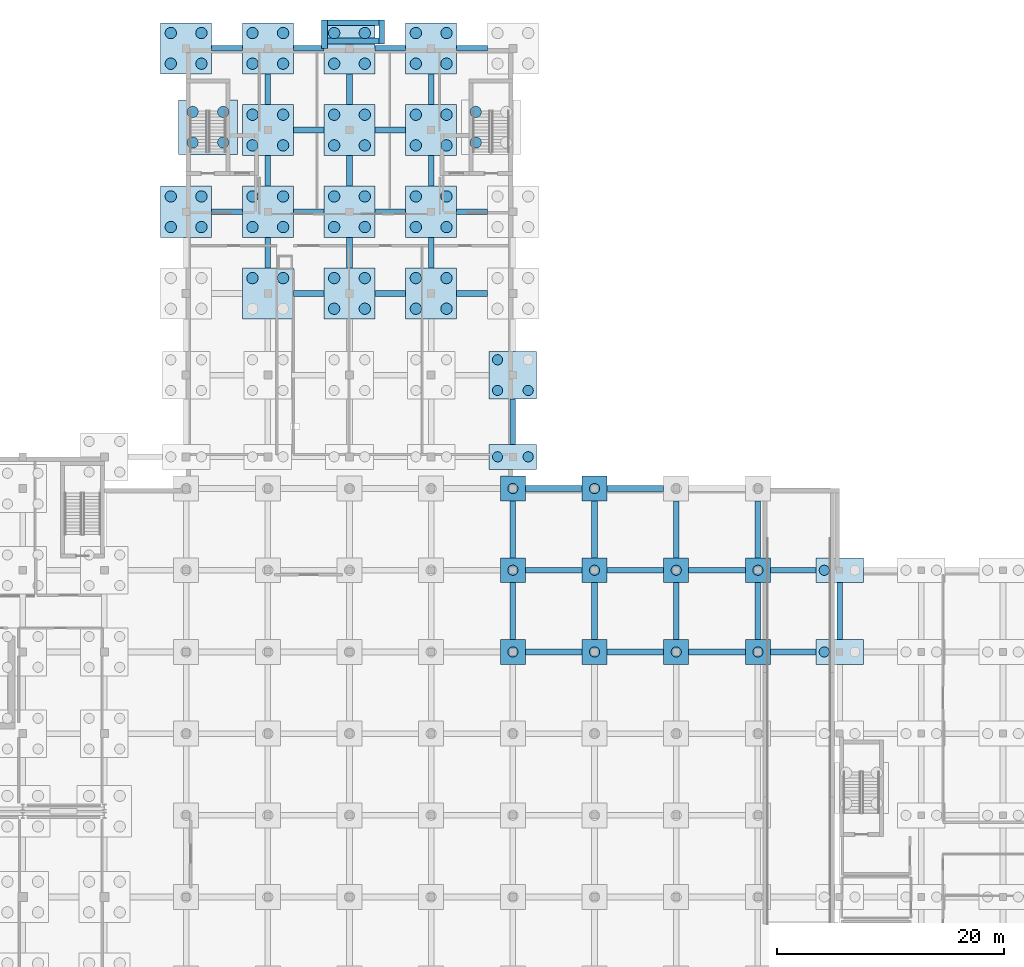
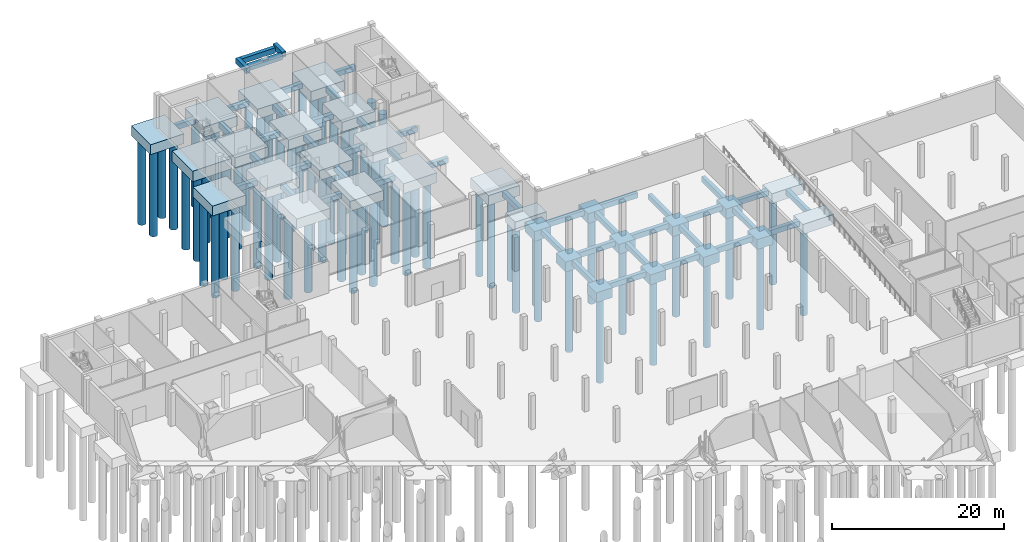
# One storey, part 7 of 35: 77 piles, 75 footings.
"""IFC4 building model written with IfcOpenShell, lengths in metres."""

import ifcopenshell
import ifcopenshell.guid

model = None  # the IFC model being written
_history = None  # IfcOwnerHistory: only IFC2X3 demands one
_inside = {}  # id of a spatial element -> (the spatial element, [elements in it])
_under = {}  # id of a project, library or spatial element -> (it, [spatial elements below it])
_declared = {}  # id of a project -> (the project, [libraries it declares])
_typed = {}  # id of a type object -> (the type object, [elements of that type])
_made_of = {}  # id of a material, layer set ... -> (it, [elements and type objects made of it])


def new_model(schema):
    """Start an empty IFC model of exactly this schema.

    Asked for "IFC4X3", IfcOpenShell would pick the latest addendum, in which some entities
    have other attributes; the version numbers below select the first issue.
    IFC2X3 requires an IfcOwnerHistory on every rooted entity: one is made here for all.
    """
    global model, _history
    if schema == "IFC4X3":
        model = ifcopenshell.file(schema_version=(4, 3, 0, 0))
    else:
        model = ifcopenshell.file(schema=schema)
    _inside.clear()
    _under.clear()
    _declared.clear()
    _typed.clear()
    _made_of.clear()
    _history = None
    if model.schema == "IFC2X3":
        org = make("IfcOrganization", Name="unknown")
        user = make(
            "IfcPersonAndOrganization",
            ThePerson=make("IfcPerson", FamilyName="unknown"),
            TheOrganization=org,
        )
        app = make(
            "IfcApplication",
            ApplicationDeveloper=org,
            Version="unknown",
            ApplicationFullName="unknown",
            ApplicationIdentifier="unknown",
        )
        _history = make(
            "IfcOwnerHistory",
            OwningUser=user,
            OwningApplication=app,
            ChangeAction="ADDED",
            CreationDate=0,
        )
    return model


def make(cls, **values):
    """One entity of the class cls with the attributes given. An attribute that is None is left unset."""
    return model.create_entity(
        cls, **{name: value for name, value in values.items() if value is not None}
    )


def rooted(cls, **values):
    """An entity with a GlobalId (a new one), such as an element, a storey or a relation."""
    return make(cls, GlobalId=ifcopenshell.guid.new(), OwnerHistory=_history, **values)


def si_unit(unit_type, name, prefix=None):
    """IfcSIUnit, for example si_unit("LENGTHUNIT", "METRE", prefix="MILLI")."""
    return make("IfcSIUnit", UnitType=unit_type, Prefix=prefix, Name=name)


def assignment(units):
    """IfcUnitAssignment: the units of a project."""
    return None if units is None else make("IfcUnitAssignment", Units=units)


def point(xyz):
    """IfcCartesianPoint."""
    return None if xyz is None else make("IfcCartesianPoint", Coordinates=xyz)


def direction(xyz):
    """IfcDirection."""
    return None if xyz is None else make("IfcDirection", DirectionRatios=xyz)


def frame(location, z_axis=None, x_axis=None):
    """IfcAxis2Placement3D, a coordinate frame: its origin and axes. An axis left out is left unset."""
    return make(
        "IfcAxis2Placement3D",
        Location=point(location),
        Axis=direction(z_axis),
        RefDirection=direction(x_axis),
    )


def frame_2d(location, x_axis=None):
    """IfcAxis2Placement2D, a coordinate frame in the plane: its origin and x axis."""
    return make(
        "IfcAxis2Placement2D", Location=point(location), RefDirection=direction(x_axis)
    )


def origin():
    """The frame at (0, 0, 0) with its axes left unset."""
    return frame((0.0, 0.0, 0.0))


def origin_2d():
    """The frame at (0, 0) in the plane with its x axis left unset."""
    return frame_2d((0.0, 0.0))


def place(relative_to, where):
    """IfcLocalPlacement: puts the frame where relative to a parent placement (None: the world)."""
    return make(
        "IfcLocalPlacement", PlacementRelTo=relative_to, RelativePlacement=where
    )


def context(
    kind, dimensions, precision=None, world=None, true_north=None, identifier=None
):
    """IfcGeometricRepresentationContext, for example the 3D "Model" context."""
    return make(
        "IfcGeometricRepresentationContext",
        ContextIdentifier=identifier,
        ContextType=kind,
        CoordinateSpaceDimension=dimensions,
        Precision=precision,
        WorldCoordinateSystem=world,
        TrueNorth=true_north,
    )


def subcontext(parent, identifier, kind, view, scale=None):
    """IfcGeometricRepresentationSubContext, for example "Body" below "Model"."""
    return make(
        "IfcGeometricRepresentationSubContext",
        ContextIdentifier=identifier,
        ContextType=kind,
        ParentContext=parent,
        TargetScale=scale,
        TargetView=view,
    )


def project(units=None, contexts=None):
    """IfcProject with its units and contexts."""
    return rooted(
        "IfcProject",
        Name="project",
        RepresentationContexts=contexts,
        UnitsInContext=assignment(units),
    )


def spatial(cls, under=None, at=None, **own):
    """A site, building, storey or space (cls), placed at a placement, below another one or the project."""
    s = rooted(cls, ObjectPlacement=at, **own)
    if under is not None:
        _under.setdefault(under.id(), (under, []))[1].append(s)
    return s


def profile(cls, at=None, kind="AREA", **sizes):
    """A parametric profile (cls). Its sizes go by their IFC names, for example OverallWidth=200.0."""
    return make(cls, ProfileType=kind, Position=at, **sizes)


def rectangle(**sizes):
    """IfcRectangleProfileDef."""
    return profile("IfcRectangleProfileDef", **sizes)


def circle(**sizes):
    """IfcCircleProfileDef."""
    return profile("IfcCircleProfileDef", **sizes)


def extrude(swept, where, along, depth):
    """IfcExtrudedAreaSolid: the profile swept, set in the frame where, extruded along a direction by depth."""
    return make(
        "IfcExtrudedAreaSolid",
        SweptArea=swept,
        Position=where,
        ExtrudedDirection=direction(along),
        Depth=depth,
    )


def shape(context_of_items, identifier, shape_type, items):
    """IfcShapeRepresentation: the items that make up one representation, for example the "Body"."""
    return make(
        "IfcShapeRepresentation",
        ContextOfItems=context_of_items,
        RepresentationIdentifier=identifier,
        RepresentationType=shape_type,
        Items=items,
    )


def material(Name=None, Category=None):
    """IfcMaterial."""
    return make("IfcMaterial", Name=Name, Category=Category)


def material_profile(
    of_material, cross_section, Name=None, Category=None, Priority=None
):
    """IfcMaterialProfile: a cross section and its material."""
    return make(
        "IfcMaterialProfile",
        Name=Name,
        Material=of_material,
        Profile=cross_section,
        Priority=Priority,
        Category=Category,
    )


def profile_set(profiles, Name=None, composite=None):
    """IfcMaterialProfileSet."""
    return make(
        "IfcMaterialProfileSet",
        Name=Name,
        MaterialProfiles=profiles,
        CompositeProfile=composite,
    )


def made_of(thing, what):
    """Note that an element or type object is made of a material, layer set ...; save() writes the relation."""
    if what is not None:
        _made_of.setdefault(what.id(), (what, []))[1].append(thing)
    return thing


def type_object(cls, material=None, **own):
    """A type object (cls), such as IfcWallType, which elements share."""
    return made_of(rooted(cls, **own), material)


def element(
    cls,
    number,
    at=None,
    inside=None,
    cuts=None,
    type_object=None,
    material=None,
    context=None,
    identifier="Body",
    shape_type=None,
    held_by="IfcProductDefinitionShape",
    body=None,
    shapes=None,
    **own,
):
    """One element of the class cls, such as IfcWall. Its Tag is "e" and its number.

    at: its placement. inside: the storey or other place that contains it. cuts: it is an
    opening in that element (IfcRelVoidsElement). A single representation is given by context,
    identifier, shape_type and body (its items); several are given by shapes. held_by: the class
    of the entity that holds the representations. save() writes the other relations.
    """
    e = rooted(cls, Tag="e%d" % number, ObjectPlacement=at, **own)
    if body is not None:
        shapes = [shape(context, identifier, shape_type, body)]
    if shapes is not None:
        e.Representation = make(held_by, Representations=shapes)
    if inside is not None:
        _inside.setdefault(inside.id(), (inside, []))[1].append(e)
    if cuts is not None:
        rooted(
            "IfcRelVoidsElement", RelatingBuildingElement=cuts, RelatedOpeningElement=e
        )
    if type_object is not None:
        _typed.setdefault(type_object.id(), (type_object, []))[1].append(e)
    return made_of(e, material)


def aggregate(whole, parts):
    """IfcRelAggregates: a whole, such as a stair, and the parts it consists of."""
    return rooted("IfcRelAggregates", RelatingObject=whole, RelatedObjects=parts)


def save(model, path):
    """Write the relations noted so far, then the file.

    IfcRelAggregates (storeys below a building ...), IfcRelContainedInSpatialStructure (elements
    in a storey), IfcRelDefinesByType, IfcRelAssociatesMaterial and IfcRelDeclares: one each for
    every whole, place, type object, material and project.
    """
    for whole, parts in _under.values():
        aggregate(whole, parts)
    for where, things in _inside.values():
        rooted(
            "IfcRelContainedInSpatialStructure",
            RelatedElements=things,
            RelatingStructure=where,
        )
    for kind, things in _typed.values():
        rooted("IfcRelDefinesByType", RelatedObjects=things, RelatingType=kind)
    for what, things in _made_of.values():
        rooted("IfcRelAssociatesMaterial", RelatedObjects=things, RelatingMaterial=what)
    for by, libraries in _declared.values():
        rooted("IfcRelDeclares", RelatingContext=by, RelatedDefinitions=libraries)
    model.write(path)


model = new_model("IFC4")

# Units and contexts
model_context = context("Model", 3, precision=1e-05, world=origin(), true_north=direction((0.0, 1.0)))
body_context = subcontext(model_context, "Body", "Model", "MODEL_VIEW")
ifc_project = project(units=[si_unit("LENGTHUNIT", "METRE"), si_unit("AREAUNIT", "SQUARE_METRE"), si_unit("VOLUMEUNIT", "CUBIC_METRE"), si_unit("PLANEANGLEUNIT", "RADIAN"), si_unit("MASSUNIT", "GRAM", prefix="KILO")], contexts=[model_context])

# Site, building, storey
site_placement = place(None, origin())
site = spatial("IfcSite", under=ifc_project, at=site_placement, CompositionType="ELEMENT")
building_placement = place(site_placement, origin())
building = spatial("IfcBuilding", under=site, at=building_placement, Name="Zarrinpeak Specialist Clinic", CompositionType="ELEMENT")
storey_placement = place(building_placement, frame((0.0, 0.0, -4.800048828125)))
storey = spatial("IfcBuildingStorey", under=building, at=storey_placement, Name="B01", CompositionType="ELEMENT", Elevation=-4.800048828125)

# Footings
ifc_material = material(Name="Concrete C40/50", Category="concrete")
ifc_material_profile_1 = material_profile(ifc_material, rectangle(XDim=0.5, YDim=0.75, at=origin_2d()), Name="RC 500x750")
ifc_profile_set_1 = profile_set([ifc_material_profile_1], Name="Concrete C40/50")
footing_type_1 = type_object("IfcFootingType", Name="FT-GB1", PredefinedType="FOOTING_BEAM", material=ifc_profile_set_1)
for number, where, z_axis, x_axis, name in (
    (1, (65.89990234375, 64.800048828125, -0.77490234375), (1.0, 0.0, 0.0), (0.0, 1.0, 0.0), "Continuous Ground Tie Beam GB-151"),
    (2, (73.10009765625, 64.800048828125, -0.77490234375), (1.0, 0.0, 0.0), (0.0, 1.0, 0.0), "Continuous Ground Tie Beam GB-152"),
    (3, (80.300048828125, 64.800048828125, -0.77490234375), (1.0, 0.0, 0.0), (0.0, 1.0, 0.0), "Continuous Ground Tie Beam GB-153"),
):
    element("IfcFooting", number, at=place(storey_placement, frame(where, z_axis=z_axis, x_axis=x_axis)), inside=storey, type_object=footing_type_1, Name=name, PredefinedType="FOOTING_BEAM", context=body_context, shape_type="SweptSolid", body=[
        extrude(rectangle(XDim=0.5, YDim=0.75, at=origin_2d()), origin(), (0.0, 0.0, 1.0), 5.0),
    ])
footing_1_placement = place(storey_placement, frame((87.5, 64.800048828125, -0.77490234375), z_axis=(1.0, 0.0, 0.0), x_axis=(0.0, 1.0, 0.0)))
element("IfcFooting", 4, at=footing_1_placement, inside=storey, type_object=footing_type_1, Name="Continuous Ground Tie Beam GB-154", PredefinedType="FOOTING_BEAM", context=body_context, shape_type="SweptSolid", body=[
    extrude(rectangle(XDim=0.5, YDim=0.75, at=origin_2d()), origin(), (0.0, 0.0, 1.0), 4.0),
])
for number, where, z_axis, x_axis, name in (
    (5, (65.89990234375, 72.0, -0.77490234375), (1.0, 0.0, 0.0), (0.0, 1.0, 0.0), "Continuous Ground Tie Beam GB-168"),
    (6, (73.10009765625, 72.0, -0.77490234375), (1.0, 0.0, 0.0), (0.0, 1.0, 0.0), "Continuous Ground Tie Beam GB-169"),
    (7, (80.300048828125, 72.0, -0.77490234375), (1.0, 0.0, 0.0), (0.0, 1.0, 0.0), "Continuous Ground Tie Beam GB-170"),
):
    element("IfcFooting", number, at=place(storey_placement, frame(where, z_axis=z_axis, x_axis=x_axis)), inside=storey, type_object=footing_type_1, Name=name, PredefinedType="FOOTING_BEAM", context=body_context, shape_type="SweptSolid", body=[
        extrude(rectangle(XDim=0.5, YDim=0.75, at=origin_2d()), origin(), (0.0, 0.0, 1.0), 5.0),
    ])
footing_2_placement = place(storey_placement, frame((87.5, 72.0, -0.77490234375), z_axis=(1.0, 0.0, 0.0), x_axis=(0.0, 1.0, 0.0)))
element("IfcFooting", 8, at=footing_2_placement, inside=storey, type_object=footing_type_1, Name="Continuous Ground Tie Beam GB-171", PredefinedType="FOOTING_BEAM", context=body_context, shape_type="SweptSolid", body=[
    extrude(rectangle(XDim=0.5, YDim=0.75, at=origin_2d()), origin(), (0.0, 0.0, 1.0), 4.0),
])
for number, where, z_axis, x_axis, name in (
    (9, (65.89990234375, 79.199951171875, -0.77490234375), (1.0, 0.0, 0.0), (0.0, 1.0, 0.0), "Continuous Ground Tie Beam GB-182"),
    (10, (73.10009765625, 79.199951171875, -0.77490234375), (1.0, 0.0, 0.0), (0.0, 1.0, 0.0), "Continuous Ground Tie Beam GB-183"),
):
    element("IfcFooting", number, at=place(storey_placement, frame(where, z_axis=z_axis, x_axis=x_axis)), inside=storey, type_object=footing_type_1, Name=name, PredefinedType="FOOTING_BEAM", context=body_context, shape_type="SweptSolid", body=[
        extrude(rectangle(XDim=0.5, YDim=0.75, at=origin_2d()), origin(), (0.0, 0.0, 1.0), 5.0),
    ])
footing_3_placement = place(storey_placement, frame((45.449951171875, 96.39990234375, -0.77490234375), z_axis=(1.0, 0.0, 0.0), x_axis=(0.0, 1.0, 0.0)))
element("IfcFooting", 11, at=footing_3_placement, inside=storey, type_object=footing_type_1, Name="Continuous Ground Tie Beam GB-195", PredefinedType="FOOTING_BEAM", context=body_context, shape_type="SweptSolid", body=[
    extrude(rectangle(XDim=0.5, YDim=0.75, at=origin_2d()), origin(), (0.0, 0.0, 1.0), 2.699951171875),
])
footing_4_placement = place(storey_placement, frame((52.64990234375, 96.39990234375, -0.77490234375), z_axis=(1.0, 0.0, 0.0), x_axis=(0.0, 1.0, 0.0)))
element("IfcFooting", 12, at=footing_4_placement, inside=storey, type_object=footing_type_1, Name="Continuous Ground Tie Beam GB-196", PredefinedType="FOOTING_BEAM", context=body_context, shape_type="SweptSolid", body=[
    extrude(rectangle(XDim=0.5, YDim=0.75, at=origin_2d()), origin(), (0.0, 0.0, 1.0), 2.7001953125),
])
for number, where, z_axis, x_axis, name in (
    (13, (59.85009765625, 96.39990234375, -0.77490234375), (1.0, 0.0, 0.0), (0.0, 1.0, 0.0), "Continuous Ground Tie Beam GB-197"),
    (14, (38.25, 103.60009765625, -0.77490234375), (1.0, 0.0, 0.0), (0.0, 1.0, 0.0), "Continuous Ground Tie Beam GB-198"),
    (15, (45.449951171875, 103.60009765625, -0.77490234375), (1.0, 0.0, 0.0), (0.0, 1.0, 0.0), "Continuous Ground Tie Beam GB-199"),
):
    element("IfcFooting", number, at=place(storey_placement, frame(where, z_axis=z_axis, x_axis=x_axis)), inside=storey, type_object=footing_type_1, Name=name, PredefinedType="FOOTING_BEAM", context=body_context, shape_type="SweptSolid", body=[
        extrude(rectangle(XDim=0.5, YDim=0.75, at=origin_2d()), origin(), (0.0, 0.0, 1.0), 2.699951171875),
    ])
footing_5_placement = place(storey_placement, frame((52.64990234375, 103.60009765625, -0.77490234375), z_axis=(1.0, 0.0, 0.0), x_axis=(0.0, 1.0, 0.0)))
element("IfcFooting", 16, at=footing_5_placement, inside=storey, type_object=footing_type_1, Name="Continuous Ground Tie Beam GB-200", PredefinedType="FOOTING_BEAM", context=body_context, shape_type="SweptSolid", body=[
    extrude(rectangle(XDim=0.5, YDim=0.75, at=origin_2d()), origin(), (0.0, 0.0, 1.0), 2.7001953125),
])
for number, where, z_axis, x_axis, name in (
    (17, (59.85009765625, 103.60009765625, -0.77490234375), (1.0, 0.0, 0.0), (0.0, 1.0, 0.0), "Continuous Ground Tie Beam GB-201"),
    (18, (45.449951171875, 110.800048828125, -0.77490234375), (1.0, 0.0, 0.0), (0.0, 1.0, 0.0), "Continuous Ground Tie Beam GB-202"),
):
    element("IfcFooting", number, at=place(storey_placement, frame(where, z_axis=z_axis, x_axis=x_axis)), inside=storey, type_object=footing_type_1, Name=name, PredefinedType="FOOTING_BEAM", context=body_context, shape_type="SweptSolid", body=[
        extrude(rectangle(XDim=0.5, YDim=0.75, at=origin_2d()), origin(), (0.0, 0.0, 1.0), 2.699951171875),
    ])
footing_6_placement = place(storey_placement, frame((52.64990234375, 110.800048828125, -0.77490234375), z_axis=(1.0, 0.0, 0.0), x_axis=(0.0, 1.0, 0.0)))
element("IfcFooting", 19, at=footing_6_placement, inside=storey, type_object=footing_type_1, Name="Continuous Ground Tie Beam GB-203", PredefinedType="FOOTING_BEAM", context=body_context, shape_type="SweptSolid", body=[
    extrude(rectangle(XDim=0.5, YDim=0.75, at=origin_2d()), origin(), (0.0, 0.0, 1.0), 2.7001953125),
])
for number, where, z_axis, x_axis, name in (
    (20, (38.25, 118.0, -0.77490234375), (1.0, 0.0, 0.0), (0.0, 1.0, 0.0), "Continuous Ground Tie Beam GB-204"),
    (21, (45.449951171875, 118.0, -0.77490234375), (1.0, 0.0, 0.0), (0.0, 1.0, 0.0), "Continuous Ground Tie Beam GB-205"),
):
    element("IfcFooting", number, at=place(storey_placement, frame(where, z_axis=z_axis, x_axis=x_axis)), inside=storey, type_object=footing_type_1, Name=name, PredefinedType="FOOTING_BEAM", context=body_context, shape_type="SweptSolid", body=[
        extrude(rectangle(XDim=0.5, YDim=0.75, at=origin_2d()), origin(), (0.0, 0.0, 1.0), 2.699951171875),
    ])
footing_7_placement = place(storey_placement, frame((52.64990234375, 118.0, -0.77490234375), z_axis=(1.0, 0.0, 0.0), x_axis=(0.0, 1.0, 0.0)))
element("IfcFooting", 22, at=footing_7_placement, inside=storey, type_object=footing_type_1, Name="Continuous Ground Tie Beam GB-206", PredefinedType="FOOTING_BEAM", context=body_context, shape_type="SweptSolid", body=[
    extrude(rectangle(XDim=0.5, YDim=0.75, at=origin_2d()), origin(), (0.0, 0.0, 1.0), 2.7001953125),
])
footing_8_placement = place(storey_placement, frame((59.85009765625, 118.0, -0.77490234375), z_axis=(1.0, 0.0, 0.0), x_axis=(0.0, 1.0, 0.0)))
element("IfcFooting", 23, at=footing_8_placement, inside=storey, type_object=footing_type_1, Name="Continuous Ground Tie Beam GB-207", PredefinedType="FOOTING_BEAM", context=body_context, shape_type="SweptSolid", body=[
    extrude(rectangle(XDim=0.5, YDim=0.75, at=origin_2d()), origin(), (0.0, 0.0, 1.0), 2.699951171875),
])
footing_9_placement = place(storey_placement, frame((43.199951171875, 98.64990234375, -0.77490234375), z_axis=(0.0, 1.0, 0.0), x_axis=(-1.0, 0.0, 0.0)))
element("IfcFooting", 24, at=footing_9_placement, inside=storey, type_object=footing_type_1, Name="Continuous Ground Tie Beam GB-281", PredefinedType="FOOTING_BEAM", context=body_context, shape_type="SweptSolid", body=[
    extrude(rectangle(XDim=0.5, YDim=0.75, at=origin_2d()), origin(), (0.0, 0.0, 1.0), 2.7001953125),
])
for number, where, z_axis, x_axis, name in (
    (25, (43.199951171875, 105.85009765625, -0.77490234375), (0.0, 1.0, 0.0), (-1.0, 0.0, 0.0), "Continuous Ground Tie Beam GB-282"),
    (26, (43.199951171875, 113.050048828125, -0.77490234375), (0.0, 1.0, 0.0), (-1.0, 0.0, 0.0), "Continuous Ground Tie Beam GB-283"),
):
    element("IfcFooting", number, at=place(storey_placement, frame(where, z_axis=z_axis, x_axis=x_axis)), inside=storey, type_object=footing_type_1, Name=name, PredefinedType="FOOTING_BEAM", context=body_context, shape_type="SweptSolid", body=[
        extrude(rectangle(XDim=0.5, YDim=0.75, at=origin_2d()), origin(), (0.0, 0.0, 1.0), 2.699951171875),
    ])
footing_10_placement = place(storey_placement, frame((50.39990234375, 98.64990234375, -0.77490234375), z_axis=(0.0, 1.0, 0.0), x_axis=(-1.0, 0.0, 0.0)))
element("IfcFooting", 27, at=footing_10_placement, inside=storey, type_object=footing_type_1, Name="Continuous Ground Tie Beam GB-297", PredefinedType="FOOTING_BEAM", context=body_context, shape_type="SweptSolid", body=[
    extrude(rectangle(XDim=0.5, YDim=0.75, at=origin_2d()), origin(), (0.0, 0.0, 1.0), 2.7001953125),
])
for number, where, z_axis, x_axis, name in (
    (28, (50.39990234375, 105.85009765625, -0.77490234375), (0.0, 1.0, 0.0), (-1.0, 0.0, 0.0), "Continuous Ground Tie Beam GB-298"),
    (29, (50.39990234375, 113.050048828125, -0.77490234375), (0.0, 1.0, 0.0), (-1.0, 0.0, 0.0), "Continuous Ground Tie Beam GB-299"),
):
    element("IfcFooting", number, at=place(storey_placement, frame(where, z_axis=z_axis, x_axis=x_axis)), inside=storey, type_object=footing_type_1, Name=name, PredefinedType="FOOTING_BEAM", context=body_context, shape_type="SweptSolid", body=[
        extrude(rectangle(XDim=0.5, YDim=0.75, at=origin_2d()), origin(), (0.0, 0.0, 1.0), 2.699951171875),
    ])
footing_11_placement = place(storey_placement, frame((57.60009765625, 98.64990234375, -0.77490234375), z_axis=(0.0, 1.0, 0.0), x_axis=(-1.0, 0.0, 0.0)))
element("IfcFooting", 30, at=footing_11_placement, inside=storey, type_object=footing_type_1, Name="Continuous Ground Tie Beam GB-308", PredefinedType="FOOTING_BEAM", context=body_context, shape_type="SweptSolid", body=[
    extrude(rectangle(XDim=0.5, YDim=0.75, at=origin_2d()), origin(), (0.0, 0.0, 1.0), 2.7001953125),
])
for number, where, z_axis, x_axis, name in (
    (31, (57.60009765625, 105.85009765625, -0.77490234375), (0.0, 1.0, 0.0), (-1.0, 0.0, 0.0), "Continuous Ground Tie Beam GB-309"),
    (32, (57.60009765625, 113.050048828125, -0.77490234375), (0.0, 1.0, 0.0), (-1.0, 0.0, 0.0), "Continuous Ground Tie Beam GB-310"),
):
    element("IfcFooting", number, at=place(storey_placement, frame(where, z_axis=z_axis, x_axis=x_axis)), inside=storey, type_object=footing_type_1, Name=name, PredefinedType="FOOTING_BEAM", context=body_context, shape_type="SweptSolid", body=[
        extrude(rectangle(XDim=0.5, YDim=0.75, at=origin_2d()), origin(), (0.0, 0.0, 1.0), 2.699951171875),
    ])
for number, where, z_axis, x_axis, name in (
    (33, (64.800048828125, 65.89990234375, -0.77490234375), (0.0, 1.0, 0.0), (-1.0, 0.0, 0.0), "Continuous Ground Tie Beam GB-320"),
    (34, (64.800048828125, 73.10009765625, -0.77490234375), (0.0, 1.0, 0.0), (-1.0, 0.0, 0.0), "Continuous Ground Tie Beam GB-321"),
):
    element("IfcFooting", number, at=place(storey_placement, frame(where, z_axis=z_axis, x_axis=x_axis)), inside=storey, type_object=footing_type_1, Name=name, PredefinedType="FOOTING_BEAM", context=body_context, shape_type="SweptSolid", body=[
        extrude(rectangle(XDim=0.5, YDim=0.75, at=origin_2d()), origin(), (0.0, 0.0, 1.0), 5.0),
    ])
footing_12_placement = place(storey_placement, frame((64.800048828125, 83.10009765625, -0.77490234375), z_axis=(0.0, 1.0, 0.0), x_axis=(-1.0, 0.0, 0.0)))
element("IfcFooting", 35, at=footing_12_placement, inside=storey, type_object=footing_type_1, Name="Continuous Ground Tie Beam GB-322", PredefinedType="FOOTING_BEAM", context=body_context, shape_type="SweptSolid", body=[
    extrude(rectangle(XDim=0.5, YDim=0.75, at=origin_2d()), origin(), (0.0, 0.0, 1.0), 4.0),
])
for number, where, z_axis, x_axis, name in (
    (36, (72.0, 65.89990234375, -0.77490234375), (0.0, 1.0, 0.0), (-1.0, 0.0, 0.0), "Continuous Ground Tie Beam GB-334"),
    (37, (72.0, 73.10009765625, -0.77490234375), (0.0, 1.0, 0.0), (-1.0, 0.0, 0.0), "Continuous Ground Tie Beam GB-335"),
    (38, (79.199951171875, 65.89990234375, -0.77490234375), (0.0, 1.0, 0.0), (-1.0, 0.0, 0.0), "Continuous Ground Tie Beam GB-345"),
    (39, (79.199951171875, 73.10009765625, -0.77490234375), (0.0, 1.0, 0.0), (-1.0, 0.0, 0.0), "Continuous Ground Tie Beam GB-346"),
    (40, (86.39990234375, 65.89990234375, -0.77490234375), (0.0, 1.0, 0.0), (-1.0, 0.0, 0.0), "Continuous Ground Tie Beam GB-354"),
    (41, (86.39990234375, 73.10009765625, -0.77490234375), (0.0, 1.0, 0.0), (-1.0, 0.0, 0.0), "Continuous Ground Tie Beam GB-355"),
    (42, (93.60009765625, 65.89990234375, -0.77490234375), (0.0, 1.0, 0.0), (-1.0, 0.0, 0.0), "Continuous Ground Tie Beam GB-357"),
):
    element("IfcFooting", number, at=place(storey_placement, frame(where, z_axis=z_axis, x_axis=x_axis)), inside=storey, type_object=footing_type_1, Name=name, PredefinedType="FOOTING_BEAM", context=body_context, shape_type="SweptSolid", body=[
        extrude(rectangle(XDim=0.5, YDim=0.75, at=origin_2d()), origin(), (0.0, 0.0, 1.0), 5.0),
    ])
footing_13_placement = place(storey_placement, frame((53.25, 118.39990234375, 4.025146484375), z_axis=(0.0, 1.0, 0.0), x_axis=(-1.0, 0.0, 0.0)))
element("IfcFooting", 43, at=footing_13_placement, inside=storey, type_object=footing_type_1, Name="Accessible Ramp Tie Footing Beam GB-R-ACC5", PredefinedType="FOOTING_BEAM", context=body_context, shape_type="SweptSolid", body=[
    extrude(rectangle(XDim=0.5, YDim=0.75, at=origin_2d()), origin(), (0.0, 0.0, 1.0), 2.10009765625),
])
for number, where, z_axis, x_axis, name in (
    (44, (48.449951171875, 118.64990234375, 3.72509765625), (1.0, 0.0, 0.0), (0.0, 1.0, 0.0), "Accessible Ramp Tie Footing Beam GB-R-ACC5-S"),
    (45, (48.449951171875, 120.25, 3.72509765625), (1.0, 0.0, 0.0), (0.0, 1.0, 0.0), "Accessible Ramp Tie Footing Beam GB-R-ACC5-N"),
):
    element("IfcFooting", number, at=place(storey_placement, frame(where, z_axis=z_axis, x_axis=x_axis)), inside=storey, type_object=footing_type_1, Name=name, PredefinedType="FOOTING_BEAM", context=body_context, shape_type="SweptSolid", body=[
        extrude(rectangle(XDim=0.5, YDim=0.75, at=origin_2d()), origin(), (0.0, 0.0, 1.0), 4.550048828125),
    ])
footing_14_placement = place(storey_placement, frame((48.199951171875, 118.0, 3.72509765625), z_axis=(0.0, 1.0, 0.0), x_axis=(-1.0, 0.0, 0.0)))
element("IfcFooting", 46, at=footing_14_placement, inside=storey, type_object=footing_type_1, Name="Accessible Ramp Tie Footing Beam GB-R-ACC5-W", PredefinedType="FOOTING_BEAM", context=body_context, shape_type="SweptSolid", body=[
    extrude(rectangle(XDim=0.5, YDim=0.75, at=origin_2d()), origin(), (0.0, 0.0, 1.0), 2.5),
])
footing_type_2 = type_object("IfcFootingType", Name="FT-PC1", PredefinedType="PILE_CAP", material=ifc_material)
for number, where, z_axis, x_axis, name in (
    (47, (64.800048828125, 64.800048828125, -1.7998046875), (0.0, 0.0, 1.0), (1.0, 0.0, 0.0), "Combined Pile Cap CAP-136 (B01-C1)"),
    (48, (64.800048828125, 72.0, -1.7998046875), (0.0, 0.0, 1.0), (1.0, 0.0, 0.0), "Combined Pile Cap CAP-137 (B01-C1)"),
    (49, (64.800048828125, 79.199951171875, -1.7998046875), (0.0, 0.0, 1.0), (1.0, 0.0, 0.0), "Combined Pile Cap CAP-138 (B01-C1)"),
    (50, (72.0, 64.800048828125, -1.7998046875), (0.0, 0.0, 1.0), (1.0, 0.0, 0.0), "Combined Pile Cap CAP-153 (B01-C1)"),
    (51, (72.0, 72.0, -1.7998046875), (0.0, 0.0, 1.0), (1.0, 0.0, 0.0), "Combined Pile Cap CAP-154 (B01-C1)"),
    (52, (72.0, 79.199951171875, -1.7998046875), (0.0, 0.0, 1.0), (1.0, 0.0, 0.0), "Combined Pile Cap CAP-155 (B01-C1)"),
    (53, (79.199951171875, 64.800048828125, -1.7998046875), (0.0, 0.0, 1.0), (1.0, 0.0, 0.0), "Combined Pile Cap CAP-165 (B01-C1)"),
    (54, (79.199951171875, 72.0, -1.7998046875), (0.0, 0.0, 1.0), (1.0, 0.0, 0.0), "Combined Pile Cap CAP-166 (B01-C1)"),
    (55, (86.39990234375, 64.800048828125, -1.7998046875), (0.0, 0.0, 1.0), (1.0, 0.0, 0.0), "Combined Pile Cap CAP-176 (B01-C1)"),
    (56, (86.39990234375, 72.0, -1.7998046875), (0.0, 0.0, 1.0), (1.0, 0.0, 0.0), "Combined Pile Cap CAP-177 (B01-C1)"),
):
    element("IfcFooting", number, at=place(storey_placement, frame(where, z_axis=z_axis, x_axis=x_axis)), inside=storey, type_object=footing_type_2, Name=name, PredefinedType="PILE_CAP", context=body_context, shape_type="SweptSolid", body=[
        extrude(rectangle(XDim=2.199951171875, YDim=2.199951171875, at=origin_2d()), origin(), (0.0, 0.0, 1.0), 1.39990234375),
    ])
footing_type_3 = type_object("IfcFootingType", Name="FT-PC2", PredefinedType="PILE_CAP", material=ifc_material)
for number, where, z_axis, x_axis, name in (
    (57, (64.800048828125, 82.0, -1.7998046875), (0.0, 0.0, 1.0), (1.0, 0.0, 0.0), "Combined Pile Cap CAP-139 (V6)"),
    (58, (93.60009765625, 64.800048828125, -1.7998046875), (0.0, 0.0, 1.0), (1.0, 0.0, 0.0), "Combined Pile Cap CAP-182 (V3)"),
    (59, (93.60009765625, 72.0, -1.7998046875), (0.0, 0.0, 1.0), (1.0, 0.0, 0.0), "Combined Pile Cap CAP-183 (V3)"),
):
    element("IfcFooting", number, at=place(storey_placement, frame(where, z_axis=z_axis, x_axis=x_axis)), inside=storey, type_object=footing_type_3, Name=name, PredefinedType="PILE_CAP", context=body_context, shape_type="SweptSolid", body=[
        extrude(rectangle(XDim=4.199951171875, YDim=2.199951171875, at=origin_2d()), origin(), (0.0, 0.0, 1.0), 1.39990234375),
    ])
footing_type_4 = type_object("IfcFootingType", Name="FT-PC3", PredefinedType="PILE_CAP", material=ifc_material)
footing_15_placement = place(storey_placement, frame((64.800048828125, 89.199951171875, -1.7998046875), z_axis=(0.0, 0.0, 1.0), x_axis=(1.0, 0.0, 0.0)))
element("IfcFooting", 60, at=footing_15_placement, inside=storey, type_object=footing_type_4, Name="Combined Pile Cap CAP-140 (V6)", PredefinedType="PILE_CAP", context=body_context, shape_type="SweptSolid", body=[
    extrude(rectangle(XDim=4.199951171875, YDim=4.199951171875, at=origin_2d()), origin(), (0.0, 0.0, 1.0), 1.39990234375),
])
footing_type_5 = type_object("IfcFootingType", Name="FT-PC4", PredefinedType="PILE_CAP", material=ifc_material)
for number, where, z_axis, x_axis, name in (
    (61, (36.0, 103.60009765625, -1.7998046875), (0.0, 0.0, 1.0), (1.0, 0.0, 0.0), "Combined Pile Cap CAP-073 (V6)"),
    (62, (36.0, 118.0, -1.7998046875), (0.0, 0.0, 1.0), (1.0, 0.0, 0.0), "Combined Pile Cap CAP-074 (V6)"),
    (63, (43.199951171875, 96.39990234375, -1.7998046875), (0.0, 0.0, 1.0), (1.0, 0.0, 0.0), "Combined Pile Cap CAP-089 (V6)"),
    (64, (43.199951171875, 103.60009765625, -1.7998046875), (0.0, 0.0, 1.0), (1.0, 0.0, 0.0), "Combined Pile Cap CAP-090 (V6)"),
    (65, (43.199951171875, 110.800048828125, -1.7998046875), (0.0, 0.0, 1.0), (1.0, 0.0, 0.0), "Combined Pile Cap CAP-091 (V6)"),
    (66, (43.199951171875, 118.0, -1.7998046875), (0.0, 0.0, 1.0), (1.0, 0.0, 0.0), "Combined Pile Cap CAP-092 (V6)"),
    (67, (50.39990234375, 96.39990234375, -1.7998046875), (0.0, 0.0, 1.0), (1.0, 0.0, 0.0), "Combined Pile Cap CAP-107 (V6)"),
    (68, (50.39990234375, 103.60009765625, -1.7998046875), (0.0, 0.0, 1.0), (1.0, 0.0, 0.0), "Combined Pile Cap CAP-108 (V6)"),
    (69, (50.39990234375, 110.800048828125, -1.7998046875), (0.0, 0.0, 1.0), (1.0, 0.0, 0.0), "Combined Pile Cap CAP-109 (V6)"),
    (70, (50.39990234375, 118.0, -1.7998046875), (0.0, 0.0, 1.0), (1.0, 0.0, 0.0), "Combined Pile Cap CAP-110 (V6)"),
    (71, (57.60009765625, 96.39990234375, -1.7998046875), (0.0, 0.0, 1.0), (1.0, 0.0, 0.0), "Combined Pile Cap CAP-124 (V6)"),
    (72, (57.60009765625, 103.60009765625, -1.7998046875), (0.0, 0.0, 1.0), (1.0, 0.0, 0.0), "Combined Pile Cap CAP-125 (V6)"),
    (73, (57.60009765625, 110.800048828125, -1.7998046875), (0.0, 0.0, 1.0), (1.0, 0.0, 0.0), "Combined Pile Cap CAP-126 (V6)"),
    (74, (57.60009765625, 118.0, -1.7998046875), (0.0, 0.0, 1.0), (1.0, 0.0, 0.0), "Combined Pile Cap CAP-127 (V6)"),
):
    element("IfcFooting", number, at=place(storey_placement, frame(where, z_axis=z_axis, x_axis=x_axis)), inside=storey, type_object=footing_type_5, Name=name, PredefinedType="PILE_CAP", context=body_context, shape_type="SweptSolid", body=[
        extrude(rectangle(XDim=4.5, YDim=4.5, at=origin_2d()), origin(), (0.0, 0.0, 1.0), 1.39990234375),
    ])
footing_type_6 = type_object("IfcFootingType", Name="FT-PC6", PredefinedType="PILE_CAP", material=ifc_material)
footing_16_placement = place(storey_placement, frame((37.925048828125, 111.050048828125, -1.89990234375), z_axis=(0.0, 0.0, 1.0), x_axis=(1.0, 0.0, 0.0)))
element("IfcFooting", 75, at=footing_16_placement, inside=storey, type_object=footing_type_6, Name="Core Combined Pile Cap CAP-CORE-11", PredefinedType="PILE_CAP", context=body_context, shape_type="SweptSolid", body=[
    extrude(rectangle(XDim=5.199951171875, YDim=4.800048828125, at=origin_2d()), origin(), (0.0, 0.0, 1.0), 1.5),
])

# Piles
ifc_material_profile_2 = material_profile(ifc_material, circle(Radius=0.5, at=origin_2d()), Name="BORED PILE D1000")
ifc_profile_set_2 = profile_set([ifc_material_profile_2], Name="Concrete C40/50")
pile_type_1 = type_object("IfcPileType", Name="PL-D1000", PredefinedType="BORED", material=ifc_profile_set_2)
for number, where, z_axis, x_axis, name in (
    (76, (34.64990234375, 102.25, -1.699951171875), (0.0, 0.0, -1.0), (1.0, 0.0, 0.0), "Bored Foundation Pile FP-073-1"),
    (77, (37.35009765625, 102.25, -1.699951171875), (0.0, 0.0, -1.0), (1.0, 0.0, 0.0), "Bored Foundation Pile FP-073-2"),
    (78, (34.64990234375, 104.949951171875, -1.699951171875), (0.0, 0.0, -1.0), (1.0, 0.0, 0.0), "Bored Foundation Pile FP-073-3"),
    (79, (37.35009765625, 104.949951171875, -1.699951171875), (0.0, 0.0, -1.0), (1.0, 0.0, 0.0), "Bored Foundation Pile FP-073-4"),
    (80, (34.64990234375, 116.64990234375, -1.699951171875), (0.0, 0.0, -1.0), (1.0, 0.0, 0.0), "Bored Foundation Pile FP-074-1"),
    (81, (37.35009765625, 116.64990234375, -1.699951171875), (0.0, 0.0, -1.0), (1.0, 0.0, 0.0), "Bored Foundation Pile FP-074-2"),
    (82, (34.64990234375, 119.35009765625, -1.699951171875), (0.0, 0.0, -1.0), (1.0, 0.0, 0.0), "Bored Foundation Pile FP-074-3"),
    (83, (37.35009765625, 119.35009765625, -1.699951171875), (0.0, 0.0, -1.0), (1.0, 0.0, 0.0), "Bored Foundation Pile FP-074-4"),
    (84, (41.85009765625, 97.75, -1.699951171875), (0.0, 0.0, -1.0), (1.0, 0.0, 0.0), "Bored Foundation Pile FP-089-3"),
    (85, (44.550048828125, 97.75, -1.699951171875), (0.0, 0.0, -1.0), (1.0, 0.0, 0.0), "Bored Foundation Pile FP-089-4"),
    (86, (41.85009765625, 102.25, -1.699951171875), (0.0, 0.0, -1.0), (1.0, 0.0, 0.0), "Bored Foundation Pile FP-090-1"),
    (87, (44.550048828125, 102.25, -1.699951171875), (0.0, 0.0, -1.0), (1.0, 0.0, 0.0), "Bored Foundation Pile FP-090-2"),
    (88, (41.85009765625, 104.949951171875, -1.699951171875), (0.0, 0.0, -1.0), (1.0, 0.0, 0.0), "Bored Foundation Pile FP-090-3"),
    (89, (44.550048828125, 104.949951171875, -1.699951171875), (0.0, 0.0, -1.0), (1.0, 0.0, 0.0), "Bored Foundation Pile FP-090-4"),
    (90, (41.85009765625, 109.449951171875, -1.699951171875), (0.0, 0.0, -1.0), (1.0, 0.0, 0.0), "Bored Foundation Pile FP-091-1"),
    (91, (44.550048828125, 109.449951171875, -1.699951171875), (0.0, 0.0, -1.0), (1.0, 0.0, 0.0), "Bored Foundation Pile FP-091-2"),
    (92, (41.85009765625, 112.14990234375, -1.699951171875), (0.0, 0.0, -1.0), (1.0, 0.0, 0.0), "Bored Foundation Pile FP-091-3"),
    (93, (44.550048828125, 112.14990234375, -1.699951171875), (0.0, 0.0, -1.0), (1.0, 0.0, 0.0), "Bored Foundation Pile FP-091-4"),
    (94, (41.85009765625, 116.64990234375, -1.699951171875), (0.0, 0.0, -1.0), (1.0, 0.0, 0.0), "Bored Foundation Pile FP-092-1"),
    (95, (44.550048828125, 116.64990234375, -1.699951171875), (0.0, 0.0, -1.0), (1.0, 0.0, 0.0), "Bored Foundation Pile FP-092-2"),
    (96, (41.85009765625, 119.35009765625, -1.699951171875), (0.0, 0.0, -1.0), (1.0, 0.0, 0.0), "Bored Foundation Pile FP-092-3"),
    (97, (44.550048828125, 119.35009765625, -1.699951171875), (0.0, 0.0, -1.0), (1.0, 0.0, 0.0), "Bored Foundation Pile FP-092-4"),
    (98, (49.050048828125, 95.050048828125, -1.699951171875), (0.0, 0.0, -1.0), (1.0, 0.0, 0.0), "Bored Foundation Pile FP-107-1"),
    (99, (51.75, 95.050048828125, -1.699951171875), (0.0, 0.0, -1.0), (1.0, 0.0, 0.0), "Bored Foundation Pile FP-107-2"),
    (100, (49.050048828125, 97.75, -1.699951171875), (0.0, 0.0, -1.0), (1.0, 0.0, 0.0), "Bored Foundation Pile FP-107-3"),
    (101, (51.75, 97.75, -1.699951171875), (0.0, 0.0, -1.0), (1.0, 0.0, 0.0), "Bored Foundation Pile FP-107-4"),
    (102, (49.050048828125, 102.25, -1.699951171875), (0.0, 0.0, -1.0), (1.0, 0.0, 0.0), "Bored Foundation Pile FP-108-1"),
    (103, (51.75, 102.25, -1.699951171875), (0.0, 0.0, -1.0), (1.0, 0.0, 0.0), "Bored Foundation Pile FP-108-2"),
    (104, (49.050048828125, 104.949951171875, -1.699951171875), (0.0, 0.0, -1.0), (1.0, 0.0, 0.0), "Bored Foundation Pile FP-108-3"),
    (105, (51.75, 104.949951171875, -1.699951171875), (0.0, 0.0, -1.0), (1.0, 0.0, 0.0), "Bored Foundation Pile FP-108-4"),
    (106, (49.050048828125, 109.449951171875, -1.699951171875), (0.0, 0.0, -1.0), (1.0, 0.0, 0.0), "Bored Foundation Pile FP-109-1"),
    (107, (51.75, 109.449951171875, -1.699951171875), (0.0, 0.0, -1.0), (1.0, 0.0, 0.0), "Bored Foundation Pile FP-109-2"),
    (108, (49.050048828125, 112.14990234375, -1.699951171875), (0.0, 0.0, -1.0), (1.0, 0.0, 0.0), "Bored Foundation Pile FP-109-3"),
    (109, (51.75, 112.14990234375, -1.699951171875), (0.0, 0.0, -1.0), (1.0, 0.0, 0.0), "Bored Foundation Pile FP-109-4"),
    (110, (49.050048828125, 116.64990234375, -1.699951171875), (0.0, 0.0, -1.0), (1.0, 0.0, 0.0), "Bored Foundation Pile FP-110-1"),
    (111, (51.75, 116.64990234375, -1.699951171875), (0.0, 0.0, -1.0), (1.0, 0.0, 0.0), "Bored Foundation Pile FP-110-2"),
    (112, (49.050048828125, 119.35009765625, -1.699951171875), (0.0, 0.0, -1.0), (1.0, 0.0, 0.0), "Bored Foundation Pile FP-110-3"),
    (113, (51.75, 119.35009765625, -1.699951171875), (0.0, 0.0, -1.0), (1.0, 0.0, 0.0), "Bored Foundation Pile FP-110-4"),
    (114, (56.25, 95.050048828125, -1.699951171875), (0.0, 0.0, -1.0), (1.0, 0.0, 0.0), "Bored Foundation Pile FP-124-1"),
    (115, (58.949951171875, 95.050048828125, -1.699951171875), (0.0, 0.0, -1.0), (1.0, 0.0, 0.0), "Bored Foundation Pile FP-124-2"),
    (116, (56.25, 97.75, -1.699951171875), (0.0, 0.0, -1.0), (1.0, 0.0, 0.0), "Bored Foundation Pile FP-124-3"),
    (117, (58.949951171875, 97.75, -1.699951171875), (0.0, 0.0, -1.0), (1.0, 0.0, 0.0), "Bored Foundation Pile FP-124-4"),
    (118, (56.25, 102.25, -1.699951171875), (0.0, 0.0, -1.0), (1.0, 0.0, 0.0), "Bored Foundation Pile FP-125-1"),
    (119, (58.949951171875, 102.25, -1.699951171875), (0.0, 0.0, -1.0), (1.0, 0.0, 0.0), "Bored Foundation Pile FP-125-2"),
    (120, (56.25, 104.949951171875, -1.699951171875), (0.0, 0.0, -1.0), (1.0, 0.0, 0.0), "Bored Foundation Pile FP-125-3"),
    (121, (58.949951171875, 104.949951171875, -1.699951171875), (0.0, 0.0, -1.0), (1.0, 0.0, 0.0), "Bored Foundation Pile FP-125-4"),
    (122, (56.25, 109.449951171875, -1.699951171875), (0.0, 0.0, -1.0), (1.0, 0.0, 0.0), "Bored Foundation Pile FP-126-1"),
    (123, (58.949951171875, 109.449951171875, -1.699951171875), (0.0, 0.0, -1.0), (1.0, 0.0, 0.0), "Bored Foundation Pile FP-126-2"),
    (124, (56.25, 112.14990234375, -1.699951171875), (0.0, 0.0, -1.0), (1.0, 0.0, 0.0), "Bored Foundation Pile FP-126-3"),
    (125, (58.949951171875, 112.14990234375, -1.699951171875), (0.0, 0.0, -1.0), (1.0, 0.0, 0.0), "Bored Foundation Pile FP-126-4"),
    (126, (56.25, 116.64990234375, -1.699951171875), (0.0, 0.0, -1.0), (1.0, 0.0, 0.0), "Bored Foundation Pile FP-127-1"),
    (127, (58.949951171875, 116.64990234375, -1.699951171875), (0.0, 0.0, -1.0), (1.0, 0.0, 0.0), "Bored Foundation Pile FP-127-2"),
    (128, (56.25, 119.35009765625, -1.699951171875), (0.0, 0.0, -1.0), (1.0, 0.0, 0.0), "Bored Foundation Pile FP-127-3"),
    (129, (58.949951171875, 119.35009765625, -1.699951171875), (0.0, 0.0, -1.0), (1.0, 0.0, 0.0), "Bored Foundation Pile FP-127-4"),
):
    element("IfcPile", number, at=place(storey_placement, frame(where, z_axis=z_axis, x_axis=x_axis)), inside=storey, type_object=pile_type_1, Name=name, PredefinedType="BORED", context=body_context, shape_type="SweptSolid", body=[
        extrude(circle(Radius=0.5, at=origin_2d()), origin(), (0.0, 0.0, 1.0), 12.300048828125),
    ])
for number, where, z_axis, x_axis, name in (
    (130, (36.574951171875, 109.699951171875, -1.800048828125), (0.0, 0.0, -1.0), (1.0, 0.0, 0.0), "Core Bored Pile FP-CORE-11-1"),
    (131, (39.27490234375, 109.699951171875, -1.800048828125), (0.0, 0.0, -1.0), (1.0, 0.0, 0.0), "Core Bored Pile FP-CORE-11-2"),
    (132, (36.574951171875, 112.39990234375, -1.800048828125), (0.0, 0.0, -1.0), (1.0, 0.0, 0.0), "Core Bored Pile FP-CORE-11-3"),
    (133, (39.27490234375, 112.39990234375, -1.800048828125), (0.0, 0.0, -1.0), (1.0, 0.0, 0.0), "Core Bored Pile FP-CORE-11-4"),
    (134, (61.52490234375, 109.699951171875, -1.800048828125), (0.0, 0.0, -1.0), (1.0, 0.0, 0.0), "Core Bored Pile FP-CORE-12-1"),
    (135, (61.52490234375, 112.39990234375, -1.800048828125), (0.0, 0.0, -1.0), (1.0, 0.0, 0.0), "Core Bored Pile FP-CORE-12-3"),
):
    element("IfcPile", number, at=place(storey_placement, frame(where, z_axis=z_axis, x_axis=x_axis)), inside=storey, type_object=pile_type_1, Name=name, PredefinedType="BORED", context=body_context, shape_type="SweptSolid", body=[
        extrude(circle(Radius=0.5, at=origin_2d()), origin(), (0.0, 0.0, 1.0), 12.199951171875),
    ])
ifc_material_profile_3 = material_profile(ifc_material, circle(Radius=0.449951171875, at=origin_2d()), Name="BORED PILE D900")
ifc_profile_set_3 = profile_set([ifc_material_profile_3], Name="Concrete C40/50")
pile_type_2 = type_object("IfcPileType", Name="PL-D900", PredefinedType="BORED", material=ifc_profile_set_3)
for number, where, z_axis, x_axis, name in (
    (136, (64.800048828125, 64.800048828125, -1.699951171875), (0.0, 0.0, -1.0), (1.0, 0.0, 0.0), "Bored Foundation Pile FP-136-1"),
    (137, (64.800048828125, 72.0, -1.699951171875), (0.0, 0.0, -1.0), (1.0, 0.0, 0.0), "Bored Foundation Pile FP-137-1"),
    (138, (64.800048828125, 79.199951171875, -1.699951171875), (0.0, 0.0, -1.0), (1.0, 0.0, 0.0), "Bored Foundation Pile FP-138-1"),
    (139, (63.449951171875, 82.0, -1.699951171875), (0.0, 0.0, -1.0), (1.0, 0.0, 0.0), "Bored Foundation Pile FP-139-1"),
    (140, (66.14990234375, 82.0, -1.699951171875), (0.0, 0.0, -1.0), (1.0, 0.0, 0.0), "Bored Foundation Pile FP-139-2"),
    (141, (63.449951171875, 87.85009765625, -1.699951171875), (0.0, 0.0, -1.0), (1.0, 0.0, 0.0), "Bored Foundation Pile FP-140-1"),
    (142, (66.14990234375, 87.85009765625, -1.699951171875), (0.0, 0.0, -1.0), (1.0, 0.0, 0.0), "Bored Foundation Pile FP-140-2"),
    (143, (63.449951171875, 90.550048828125, -1.699951171875), (0.0, 0.0, -1.0), (1.0, 0.0, 0.0), "Bored Foundation Pile FP-140-3"),
    (144, (72.0, 64.800048828125, -1.699951171875), (0.0, 0.0, -1.0), (1.0, 0.0, 0.0), "Bored Foundation Pile FP-153-1"),
    (145, (72.0, 72.0, -1.699951171875), (0.0, 0.0, -1.0), (1.0, 0.0, 0.0), "Bored Foundation Pile FP-154-1"),
    (146, (72.0, 79.199951171875, -1.699951171875), (0.0, 0.0, -1.0), (1.0, 0.0, 0.0), "Bored Foundation Pile FP-155-1"),
    (147, (79.199951171875, 64.800048828125, -1.699951171875), (0.0, 0.0, -1.0), (1.0, 0.0, 0.0), "Bored Foundation Pile FP-165-1"),
    (148, (79.199951171875, 72.0, -1.699951171875), (0.0, 0.0, -1.0), (1.0, 0.0, 0.0), "Bored Foundation Pile FP-166-1"),
    (149, (86.39990234375, 64.800048828125, -1.699951171875), (0.0, 0.0, -1.0), (1.0, 0.0, 0.0), "Bored Foundation Pile FP-176-1"),
    (150, (86.39990234375, 72.0, -1.699951171875), (0.0, 0.0, -1.0), (1.0, 0.0, 0.0), "Bored Foundation Pile FP-177-1"),
    (151, (92.25, 64.800048828125, -1.699951171875), (0.0, 0.0, -1.0), (1.0, 0.0, 0.0), "Bored Foundation Pile FP-182-1"),
    (152, (92.25, 72.0, -1.699951171875), (0.0, 0.0, -1.0), (1.0, 0.0, 0.0), "Bored Foundation Pile FP-183-1"),
):
    element("IfcPile", number, at=place(storey_placement, frame(where, z_axis=z_axis, x_axis=x_axis)), inside=storey, type_object=pile_type_2, Name=name, PredefinedType="BORED", context=body_context, shape_type="SweptSolid", body=[
        extrude(circle(Radius=0.449951171875, at=origin_2d()), origin(), (0.0, 0.0, 1.0), 12.300048828125),
    ])

save(model, "model.ifc")
